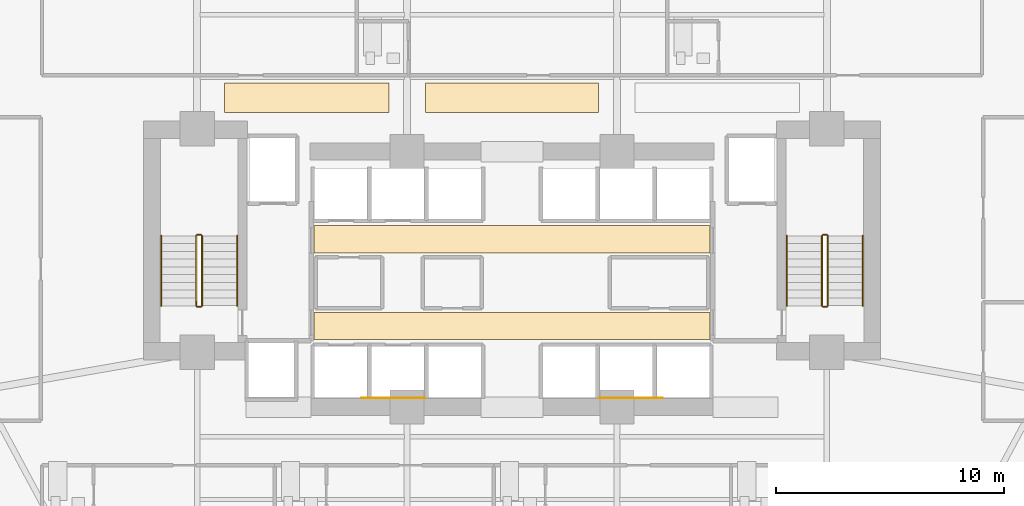
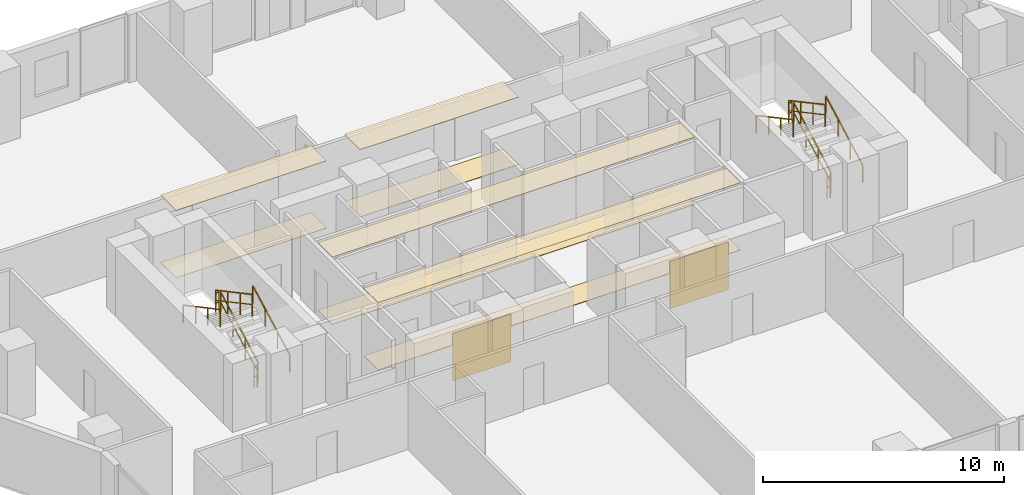
# One storey, part 26 of 28: 12 railings, 10 coverings.
"""IFC4 building model written with IfcOpenShell, lengths in metres."""

from ifc_helpers import new_model, si_unit, direction, frame, origin, origin_2d, place, context, subcontext, project, spatial, polyline, rectangle, outline, extrude, material, layer, layer_set, type_object, element, save


model = new_model("IFC4")

# Units and contexts
model_context = context("Model", 3, precision=1e-05, world=origin(), true_north=direction((0.0, 1.0)))
body_context = subcontext(model_context, "Body", "Model", "MODEL_VIEW")
ifc_project = project(units=[si_unit("LENGTHUNIT", "METRE"), si_unit("AREAUNIT", "SQUARE_METRE"), si_unit("VOLUMEUNIT", "CUBIC_METRE"), si_unit("PLANEANGLEUNIT", "RADIAN"), si_unit("MASSUNIT", "GRAM", prefix="KILO")], contexts=[model_context])

# Site, building, storey
site_placement = place(None, origin())
site = spatial("IfcSite", under=ifc_project, at=site_placement, CompositionType="ELEMENT")
building_placement = place(site_placement, origin())
building = spatial("IfcBuilding", under=site, at=building_placement, Name="Zuhayl Quay Hotel", CompositionType="ELEMENT")
storey_placement = place(building_placement, frame((0.0, 0.0, 146.75)))
storey = spatial("IfcBuildingStorey", under=building, at=storey_placement, Name="L37", CompositionType="ELEMENT", Elevation=146.75)

# Coverings
ifc_material_1 = material(Name="Acoustic Mineral-Fibre Gypsum Board")
ifc_layer_1 = layer(ifc_material_1, 0.02490234375, Name="Acoustic Mineral-Fibre Gypsum Board")
ifc_layer_set_1 = layer_set([ifc_layer_1], Name="Acoustic Mineral-Fibre Gypsum Board")
covering_type_1 = type_object("IfcCoveringType", Name="CV_CEIL_ACOUSTIC", PredefinedType="CEILING", material=ifc_layer_set_1)
covering_1_placement = place(storey_placement, frame((0.0, 0.0, 3.405029296875)))
element("IfcCovering", 1, at=covering_1_placement, inside=storey, type_object=covering_type_1, Name="L37 Suspended Acoustic Lobby Ceiling S", PredefinedType="CEILING", context=body_context, shape_type="SweptSolid", body=[
    extrude(outline(polyline([(-8.679931640625, 5.10009765625), (8.679931640625, 5.10009765625), (8.679931640625, 6.300048828125), (-8.679931640625, 6.300048828125), (-8.679931640625, 5.10009765625)])), origin(), (0.0, 0.0, 1.0), 0.02490234375),
])
covering_2_placement = place(storey_placement, frame((0.0, 0.0, 3.405029296875)))
element("IfcCovering", 2, at=covering_2_placement, inside=storey, type_object=covering_type_1, Name="L37 Suspended Acoustic Lobby Ceiling N", PredefinedType="CEILING", context=body_context, shape_type="SweptSolid", body=[
    extrude(outline(polyline([(-8.679931640625, 8.89990234375), (8.679931640625, 8.89990234375), (8.679931640625, 10.10009765625), (-8.679931640625, 10.10009765625), (-8.679931640625, 8.89990234375)])), origin(), (0.0, 0.0, 1.0), 0.02490234375),
])
covering_3_placement = place(storey_placement, frame((0.0, 0.0, 3.405029296875)))
element("IfcCovering", 3, at=covering_3_placement, inside=storey, type_object=covering_type_1, Name="L37 Guest Corridor Acoustic Ceiling CW", PredefinedType="CEILING", context=body_context, shape_type="SweptSolid", body=[
    extrude(outline(polyline([(-12.60009765625, 15.050048828125), (-5.39990234375, 15.050048828125), (-5.39990234375, 16.35009765625), (-12.60009765625, 16.35009765625), (-12.60009765625, 15.050048828125)])), origin(), (0.0, 0.0, 1.0), 0.02490234375),
])
covering_4_placement = place(storey_placement, frame((0.0, 0.0, 3.405029296875)))
element("IfcCovering", 4, at=covering_4_placement, inside=storey, type_object=covering_type_1, Name="L37 Guest Corridor Acoustic Ceiling CC", PredefinedType="CEILING", context=body_context, shape_type="SweptSolid", body=[
    extrude(outline(polyline([(-3.800048828125, 15.050048828125), (3.800048828125, 15.050048828125), (3.800048828125, 16.35009765625), (-3.800048828125, 16.35009765625), (-3.800048828125, 15.050048828125)])), origin(), (0.0, 0.0, 1.0), 0.02490234375),
])
ifc_material_2 = material(Name="Polished Limestone Terrazzo", Category="masonry")
ifc_layer_2 = layer(ifc_material_2, 0.02001953125, Name="Polished Limestone Terrazzo", Category="masonry")
ifc_layer_set_2 = layer_set([ifc_layer_2], Name="Polished Limestone Terrazzo")
covering_type_2 = type_object("IfcCoveringType", Name="CV_FLOOR_TERRAZZO", PredefinedType="FLOORING", material=ifc_layer_set_2)
covering_5_placement = place(storey_placement, origin())
element("IfcCovering", 5, at=covering_5_placement, inside=storey, type_object=covering_type_2, Name="L37 Honed Limestone Terrazzo Lobby Flooring S", PredefinedType="FLOORING", context=body_context, shape_type="SweptSolid", body=[
    extrude(outline(polyline([(-8.679931640625, 5.10009765625), (8.679931640625, 5.10009765625), (8.679931640625, 6.300048828125), (-8.679931640625, 6.300048828125), (-8.679931640625, 5.10009765625)])), origin(), (0.0, 0.0, 1.0), 0.02001953125),
])
covering_6_placement = place(storey_placement, origin())
element("IfcCovering", 6, at=covering_6_placement, inside=storey, type_object=covering_type_2, Name="L37 Honed Limestone Terrazzo Lobby Flooring N", PredefinedType="FLOORING", context=body_context, shape_type="SweptSolid", body=[
    extrude(outline(polyline([(-8.679931640625, 8.89990234375), (8.679931640625, 8.89990234375), (8.679931640625, 10.10009765625), (-8.679931640625, 10.10009765625), (-8.679931640625, 8.89990234375)])), origin(), (0.0, 0.0, 1.0), 0.02001953125),
])
covering_7_placement = place(storey_placement, origin())
element("IfcCovering", 7, at=covering_7_placement, inside=storey, type_object=covering_type_2, Name="L37 Guest Corridor Terrazzo Runner CW", PredefinedType="FLOORING", context=body_context, shape_type="SweptSolid", body=[
    extrude(outline(polyline([(-12.60009765625, 15.050048828125), (-5.39990234375, 15.050048828125), (-5.39990234375, 16.35009765625), (-12.60009765625, 16.35009765625), (-12.60009765625, 15.050048828125)])), origin(), (0.0, 0.0, 1.0), 0.02001953125),
])
covering_8_placement = place(storey_placement, origin())
element("IfcCovering", 8, at=covering_8_placement, inside=storey, type_object=covering_type_2, Name="L37 Guest Corridor Terrazzo Runner CC", PredefinedType="FLOORING", context=body_context, shape_type="SweptSolid", body=[
    extrude(outline(polyline([(-3.800048828125, 15.050048828125), (3.800048828125, 15.050048828125), (3.800048828125, 16.35009765625), (-3.800048828125, 16.35009765625), (-3.800048828125, 15.050048828125)])), origin(), (0.0, 0.0, 1.0), 0.02001953125),
])
ifc_material_3 = material(Name="Acoustic Walnut Feature Timber", Category="wood")
ifc_layer_3 = layer(ifc_material_3, 0.02197265625, Name="Acoustic Walnut Feature Timber", Category="wood")
ifc_layer_set_3 = layer_set([ifc_layer_3], Name="Acoustic Walnut Feature Timber")
covering_type_3 = type_object("IfcCoveringType", Name="CV_WALL_CLAD", PredefinedType="CLADDING", material=ifc_layer_set_3)
for number, where, z_axis, x_axis, name in (
    (9, (-5.199951171875, 2.535888671875, 0.300048828125), (0.0, 0.0, 1.0), (1.0, 0.0, 0.0), "L37 Feature Lobby Walnut Wall Cladding W"),
    (10, (5.199951171875, 2.535888671875, 0.300048828125), (0.0, 0.0, 1.0), (1.0, 0.0, 0.0), "L37 Feature Lobby Walnut Wall Cladding E"),
):
    element("IfcCovering", number, at=place(storey_placement, frame(where, z_axis=z_axis, x_axis=x_axis)), inside=storey, type_object=covering_type_3, Name=name, PredefinedType="CLADDING", context=body_context, shape_type="SweptSolid", body=[
        extrude(rectangle(XDim=2.800048828125, YDim=0.02197265625, at=origin_2d()), origin(), (0.0, 0.0, 1.0), 2.39990234375),
    ])

# Railings
ifc_material_4 = material(Name="Steel ASTM A992 Grade 50", Category="steel")
railing_type_1 = type_object("IfcRailingType", Name="RL_GUARD_1100", PredefinedType="GUARDRAIL", material=ifc_material_4)
railing_1_placement = place(storey_placement, frame((-13.590087890625, 6.590087890625, 0.1826171875)))
element("IfcRailing", 11, at=railing_1_placement, inside=storey, type_object=railing_type_1, Name="L37 ST1 stair guard 1", PredefinedType="GUARDRAIL", context=body_context, shape_type="SweptSolid", body=[
    extrude(rectangle(XDim=0.048095703125, YDim=0.048095703125, at=origin_2d()), frame((0.0, 0.0, 1.09619140625), z_axis=(0.0, 0.881102395774, 0.472925541879), x_axis=(-1.0, 0.0, 0.0)), (0.0, 0.0, 1.0), 3.47265625),
    extrude(rectangle(XDim=0.0361328125, YDim=0.0361328125, at=origin_2d()), frame((0.0, 0.0, 0.58251953125), z_axis=(0.0, 0.881102395774, 0.472925541879), x_axis=(-1.0, 0.0, 0.0)), (0.0, 0.0, 1.0), 3.47265625),
    extrude(rectangle(XDim=0.0419921875, YDim=0.0419921875, at=origin_2d()), origin(), (0.0, 0.0, 1.0), 1.072021484375),
    extrude(rectangle(XDim=0.0419921875, YDim=0.0419921875, at=origin_2d()), frame((0.0, 1.02001953125, 0.54736328125)), (0.0, 0.0, 1.0), 1.072021484375),
    extrude(rectangle(XDim=0.0419921875, YDim=0.0419921875, at=origin_2d()), frame((0.0, 2.039794921875, 1.094970703125)), (0.0, 0.0, 1.0), 1.072021484375),
    extrude(rectangle(XDim=0.0419921875, YDim=0.0419921875, at=origin_2d()), frame((0.0, 3.059814453125, 1.642333984375)), (0.0, 0.0, 1.0), 1.072021484375),
])
railing_2_placement = place(storey_placement, frame((-13.639892578125, 9.699951171875, 1.824951171875)))
element("IfcRailing", 12, at=railing_2_placement, inside=storey, type_object=railing_type_1, Name="L37 ST1 stair guard 2", PredefinedType="GUARDRAIL", context=body_context, shape_type="SweptSolid", body=[
    extrude(rectangle(XDim=0.048095703125, YDim=0.048095703125, at=origin_2d()), frame((0.0, 0.0, 1.09619140625), z_axis=(-1.0, 0.0, 0.0), x_axis=(0.0, -1.0, 0.0)), (0.0, 0.0, 1.0), 0.150146484375),
    extrude(rectangle(XDim=0.0361328125, YDim=0.0361328125, at=origin_2d()), frame((0.0, 0.0, 0.58251953125), z_axis=(-1.0, 0.0, 0.0), x_axis=(0.0, -1.0, 0.0)), (0.0, 0.0, 1.0), 0.150146484375),
    extrude(rectangle(XDim=0.0419921875, YDim=0.0419921875, at=origin_2d()), origin(), (0.0, 0.0, 1.0), 1.072021484375),
    extrude(rectangle(XDim=0.0419921875, YDim=0.0419921875, at=origin_2d()), frame((-0.150146484375, 0.0, 0.0)), (0.0, 0.0, 1.0), 1.072021484375),
])
railing_3_placement = place(storey_placement, frame((-13.840087890625, 9.64990234375, 2.007568359375)))
element("IfcRailing", 13, at=railing_3_placement, inside=storey, type_object=railing_type_1, Name="L37 ST1 stair guard 3", PredefinedType="GUARDRAIL", context=body_context, shape_type="SweptSolid", body=[
    extrude(rectangle(XDim=0.048095703125, YDim=0.048095703125, at=origin_2d()), frame((0.0, 0.0, 1.09619140625), z_axis=(0.0, -0.881102395774, 0.472925541879), x_axis=(1.0, 0.0, 0.0)), (0.0, 0.0, 1.0), 3.47265625),
    extrude(rectangle(XDim=0.0361328125, YDim=0.0361328125, at=origin_2d()), frame((0.0, 0.0, 0.58251953125), z_axis=(0.0, -0.881102395774, 0.472925541879), x_axis=(1.0, 0.0, 0.0)), (0.0, 0.0, 1.0), 3.47265625),
    extrude(rectangle(XDim=0.0419921875, YDim=0.0419921875, at=origin_2d()), origin(), (0.0, 0.0, 1.0), 1.072021484375),
    extrude(rectangle(XDim=0.0419921875, YDim=0.0419921875, at=origin_2d()), frame((0.0, -1.02001953125, 0.54736328125)), (0.0, 0.0, 1.0), 1.072021484375),
    extrude(rectangle(XDim=0.0419921875, YDim=0.0419921875, at=origin_2d()), frame((0.0, -2.039794921875, 1.094970703125)), (0.0, 0.0, 1.0), 1.072021484375),
    extrude(rectangle(XDim=0.0419921875, YDim=0.0419921875, at=origin_2d()), frame((0.0, -3.059814453125, 1.642333984375)), (0.0, 0.0, 1.0), 1.072021484375),
])
railing_4_placement = place(storey_placement, frame((-13.639892578125, 6.5400390625, 0.0)))
element("IfcRailing", 14, at=railing_4_placement, inside=storey, type_object=railing_type_1, Name="L37 ST1 stair guard 4", PredefinedType="GUARDRAIL", context=body_context, shape_type="SweptSolid", body=[
    extrude(rectangle(XDim=0.048095703125, YDim=0.048095703125, at=origin_2d()), frame((0.0, 0.0, 1.09619140625), z_axis=(-1.0, 0.0, 0.0), x_axis=(0.0, -1.0, 0.0)), (0.0, 0.0, 1.0), 0.150146484375),
    extrude(rectangle(XDim=0.0361328125, YDim=0.0361328125, at=origin_2d()), frame((0.0, 0.0, 0.58251953125), z_axis=(-1.0, 0.0, 0.0), x_axis=(0.0, -1.0, 0.0)), (0.0, 0.0, 1.0), 0.150146484375),
    extrude(rectangle(XDim=0.0419921875, YDim=0.0419921875, at=origin_2d()), origin(), (0.0, 0.0, 1.0), 1.072021484375),
    extrude(rectangle(XDim=0.0419921875, YDim=0.0419921875, at=origin_2d()), frame((-0.150146484375, 0.0, 0.0)), (0.0, 0.0, 1.0), 1.072021484375),
])
railing_5_placement = place(storey_placement, frame((13.840087890625, 6.590087890625, 0.1826171875)))
element("IfcRailing", 15, at=railing_5_placement, inside=storey, type_object=railing_type_1, Name="L37 ST2 stair guard 1", PredefinedType="GUARDRAIL", context=body_context, shape_type="SweptSolid", body=[
    extrude(rectangle(XDim=0.048095703125, YDim=0.048095703125, at=origin_2d()), frame((0.0, 0.0, 1.09619140625), z_axis=(0.0, 0.881102395774, 0.472925541879), x_axis=(-1.0, 0.0, 0.0)), (0.0, 0.0, 1.0), 3.47265625),
    extrude(rectangle(XDim=0.0361328125, YDim=0.0361328125, at=origin_2d()), frame((0.0, 0.0, 0.58251953125), z_axis=(0.0, 0.881102395774, 0.472925541879), x_axis=(-1.0, 0.0, 0.0)), (0.0, 0.0, 1.0), 3.47265625),
    extrude(rectangle(XDim=0.0419921875, YDim=0.0419921875, at=origin_2d()), origin(), (0.0, 0.0, 1.0), 1.072021484375),
    extrude(rectangle(XDim=0.0419921875, YDim=0.0419921875, at=origin_2d()), frame((0.0, 1.02001953125, 0.54736328125)), (0.0, 0.0, 1.0), 1.072021484375),
    extrude(rectangle(XDim=0.0419921875, YDim=0.0419921875, at=origin_2d()), frame((0.0, 2.039794921875, 1.094970703125)), (0.0, 0.0, 1.0), 1.072021484375),
    extrude(rectangle(XDim=0.0419921875, YDim=0.0419921875, at=origin_2d()), frame((0.0, 3.059814453125, 1.642333984375)), (0.0, 0.0, 1.0), 1.072021484375),
])
railing_6_placement = place(storey_placement, frame((13.7900390625, 9.699951171875, 1.824951171875)))
element("IfcRailing", 16, at=railing_6_placement, inside=storey, type_object=railing_type_1, Name="L37 ST2 stair guard 2", PredefinedType="GUARDRAIL", context=body_context, shape_type="SweptSolid", body=[
    extrude(rectangle(XDim=0.048095703125, YDim=0.048095703125, at=origin_2d()), frame((0.0, 0.0, 1.09619140625), z_axis=(-1.0, 0.0, 0.0), x_axis=(0.0, -1.0, 0.0)), (0.0, 0.0, 1.0), 0.150146484375),
    extrude(rectangle(XDim=0.0361328125, YDim=0.0361328125, at=origin_2d()), frame((0.0, 0.0, 0.58251953125), z_axis=(-1.0, 0.0, 0.0), x_axis=(0.0, -1.0, 0.0)), (0.0, 0.0, 1.0), 0.150146484375),
    extrude(rectangle(XDim=0.0419921875, YDim=0.0419921875, at=origin_2d()), origin(), (0.0, 0.0, 1.0), 1.072021484375),
    extrude(rectangle(XDim=0.0419921875, YDim=0.0419921875, at=origin_2d()), frame((-0.150146484375, 0.0, 0.0)), (0.0, 0.0, 1.0), 1.072021484375),
])
railing_7_placement = place(storey_placement, frame((13.590087890625, 9.64990234375, 2.007568359375)))
element("IfcRailing", 17, at=railing_7_placement, inside=storey, type_object=railing_type_1, Name="L37 ST2 stair guard 3", PredefinedType="GUARDRAIL", context=body_context, shape_type="SweptSolid", body=[
    extrude(rectangle(XDim=0.048095703125, YDim=0.048095703125, at=origin_2d()), frame((0.0, 0.0, 1.09619140625), z_axis=(0.0, -0.881102395774, 0.472925541879), x_axis=(1.0, 0.0, 0.0)), (0.0, 0.0, 1.0), 3.47265625),
    extrude(rectangle(XDim=0.0361328125, YDim=0.0361328125, at=origin_2d()), frame((0.0, 0.0, 0.58251953125), z_axis=(0.0, -0.881102395774, 0.472925541879), x_axis=(1.0, 0.0, 0.0)), (0.0, 0.0, 1.0), 3.47265625),
    extrude(rectangle(XDim=0.0419921875, YDim=0.0419921875, at=origin_2d()), origin(), (0.0, 0.0, 1.0), 1.072021484375),
    extrude(rectangle(XDim=0.0419921875, YDim=0.0419921875, at=origin_2d()), frame((0.0, -1.02001953125, 0.54736328125)), (0.0, 0.0, 1.0), 1.072021484375),
    extrude(rectangle(XDim=0.0419921875, YDim=0.0419921875, at=origin_2d()), frame((0.0, -2.039794921875, 1.094970703125)), (0.0, 0.0, 1.0), 1.072021484375),
    extrude(rectangle(XDim=0.0419921875, YDim=0.0419921875, at=origin_2d()), frame((0.0, -3.059814453125, 1.642333984375)), (0.0, 0.0, 1.0), 1.072021484375),
])
railing_8_placement = place(storey_placement, frame((13.7900390625, 6.5400390625, 0.0)))
element("IfcRailing", 18, at=railing_8_placement, inside=storey, type_object=railing_type_1, Name="L37 ST2 stair guard 4", PredefinedType="GUARDRAIL", context=body_context, shape_type="SweptSolid", body=[
    extrude(rectangle(XDim=0.048095703125, YDim=0.048095703125, at=origin_2d()), frame((0.0, 0.0, 1.09619140625), z_axis=(-1.0, 0.0, 0.0), x_axis=(0.0, -1.0, 0.0)), (0.0, 0.0, 1.0), 0.150146484375),
    extrude(rectangle(XDim=0.0361328125, YDim=0.0361328125, at=origin_2d()), frame((0.0, 0.0, 0.58251953125), z_axis=(-1.0, 0.0, 0.0), x_axis=(0.0, -1.0, 0.0)), (0.0, 0.0, 1.0), 0.150146484375),
    extrude(rectangle(XDim=0.0419921875, YDim=0.0419921875, at=origin_2d()), origin(), (0.0, 0.0, 1.0), 1.072021484375),
    extrude(rectangle(XDim=0.0419921875, YDim=0.0419921875, at=origin_2d()), frame((-0.150146484375, 0.0, 0.0)), (0.0, 0.0, 1.0), 1.072021484375),
])
railing_type_2 = type_object("IfcRailingType", Name="RL_HANDRAIL_920", PredefinedType="HANDRAIL", material=ifc_material_4)
railing_9_placement = place(storey_placement, frame((-12.050048828125, 6.590087890625, 0.1826171875)))
element("IfcRailing", 19, at=railing_9_placement, inside=storey, type_object=railing_type_2, Name="L37 ST1 stair handrail 1", PredefinedType="HANDRAIL", context=body_context, shape_type="SweptSolid", body=[
    extrude(rectangle(XDim=0.048095703125, YDim=0.048095703125, at=origin_2d()), frame((0.0, 0.0, 0.8759765625), z_axis=(0.0, 0.881102395774, 0.472925541879), x_axis=(-1.0, 0.0, 0.0)), (0.0, 0.0, 1.0), 3.47265625),
    extrude(rectangle(XDim=0.0419921875, YDim=0.0419921875, at=origin_2d()), origin(), (0.0, 0.0, 1.0), 0.851806640625),
    extrude(rectangle(XDim=0.0419921875, YDim=0.0419921875, at=origin_2d()), frame((0.0, 1.02001953125, 0.54736328125)), (0.0, 0.0, 1.0), 0.851806640625),
    extrude(rectangle(XDim=0.0419921875, YDim=0.0419921875, at=origin_2d()), frame((0.0, 2.039794921875, 1.094970703125)), (0.0, 0.0, 1.0), 0.851806640625),
    extrude(rectangle(XDim=0.0419921875, YDim=0.0419921875, at=origin_2d()), frame((0.0, 3.059814453125, 1.642333984375)), (0.0, 0.0, 1.0), 0.851806640625),
])
railing_10_placement = place(storey_placement, frame((-15.3798828125, 9.64990234375, 2.007568359375)))
element("IfcRailing", 20, at=railing_10_placement, inside=storey, type_object=railing_type_2, Name="L37 ST1 stair handrail 2", PredefinedType="HANDRAIL", context=body_context, shape_type="SweptSolid", body=[
    extrude(rectangle(XDim=0.048095703125, YDim=0.048095703125, at=origin_2d()), frame((0.0, 0.0, 0.8759765625), z_axis=(0.0, -0.881102395774, 0.472925541879), x_axis=(1.0, 0.0, 0.0)), (0.0, 0.0, 1.0), 3.47265625),
    extrude(rectangle(XDim=0.0419921875, YDim=0.0419921875, at=origin_2d()), origin(), (0.0, 0.0, 1.0), 0.851806640625),
    extrude(rectangle(XDim=0.0419921875, YDim=0.0419921875, at=origin_2d()), frame((0.0, -1.02001953125, 0.54736328125)), (0.0, 0.0, 1.0), 0.851806640625),
    extrude(rectangle(XDim=0.0419921875, YDim=0.0419921875, at=origin_2d()), frame((0.0, -2.039794921875, 1.094970703125)), (0.0, 0.0, 1.0), 0.851806640625),
    extrude(rectangle(XDim=0.0419921875, YDim=0.0419921875, at=origin_2d()), frame((0.0, -3.059814453125, 1.642333984375)), (0.0, 0.0, 1.0), 0.851806640625),
])
railing_11_placement = place(storey_placement, frame((15.3798828125, 6.590087890625, 0.1826171875)))
element("IfcRailing", 21, at=railing_11_placement, inside=storey, type_object=railing_type_2, Name="L37 ST2 stair handrail 1", PredefinedType="HANDRAIL", context=body_context, shape_type="SweptSolid", body=[
    extrude(rectangle(XDim=0.048095703125, YDim=0.048095703125, at=origin_2d()), frame((0.0, 0.0, 0.8759765625), z_axis=(0.0, 0.881102395774, 0.472925541879), x_axis=(-1.0, 0.0, 0.0)), (0.0, 0.0, 1.0), 3.47265625),
    extrude(rectangle(XDim=0.0419921875, YDim=0.0419921875, at=origin_2d()), origin(), (0.0, 0.0, 1.0), 0.851806640625),
    extrude(rectangle(XDim=0.0419921875, YDim=0.0419921875, at=origin_2d()), frame((0.0, 1.02001953125, 0.54736328125)), (0.0, 0.0, 1.0), 0.851806640625),
    extrude(rectangle(XDim=0.0419921875, YDim=0.0419921875, at=origin_2d()), frame((0.0, 2.039794921875, 1.094970703125)), (0.0, 0.0, 1.0), 0.851806640625),
    extrude(rectangle(XDim=0.0419921875, YDim=0.0419921875, at=origin_2d()), frame((0.0, 3.059814453125, 1.642333984375)), (0.0, 0.0, 1.0), 0.851806640625),
])
railing_12_placement = place(storey_placement, frame((12.050048828125, 9.64990234375, 2.007568359375)))
element("IfcRailing", 22, at=railing_12_placement, inside=storey, type_object=railing_type_2, Name="L37 ST2 stair handrail 2", PredefinedType="HANDRAIL", context=body_context, shape_type="SweptSolid", body=[
    extrude(rectangle(XDim=0.048095703125, YDim=0.048095703125, at=origin_2d()), frame((0.0, 0.0, 0.8759765625), z_axis=(0.0, -0.881102395774, 0.472925541879), x_axis=(1.0, 0.0, 0.0)), (0.0, 0.0, 1.0), 3.47265625),
    extrude(rectangle(XDim=0.0419921875, YDim=0.0419921875, at=origin_2d()), origin(), (0.0, 0.0, 1.0), 0.851806640625),
    extrude(rectangle(XDim=0.0419921875, YDim=0.0419921875, at=origin_2d()), frame((0.0, -1.02001953125, 0.54736328125)), (0.0, 0.0, 1.0), 0.851806640625),
    extrude(rectangle(XDim=0.0419921875, YDim=0.0419921875, at=origin_2d()), frame((0.0, -2.039794921875, 1.094970703125)), (0.0, 0.0, 1.0), 0.851806640625),
    extrude(rectangle(XDim=0.0419921875, YDim=0.0419921875, at=origin_2d()), frame((0.0, -3.059814453125, 1.642333984375)), (0.0, 0.0, 1.0), 0.851806640625),
])

save(model, "model.ifc")
